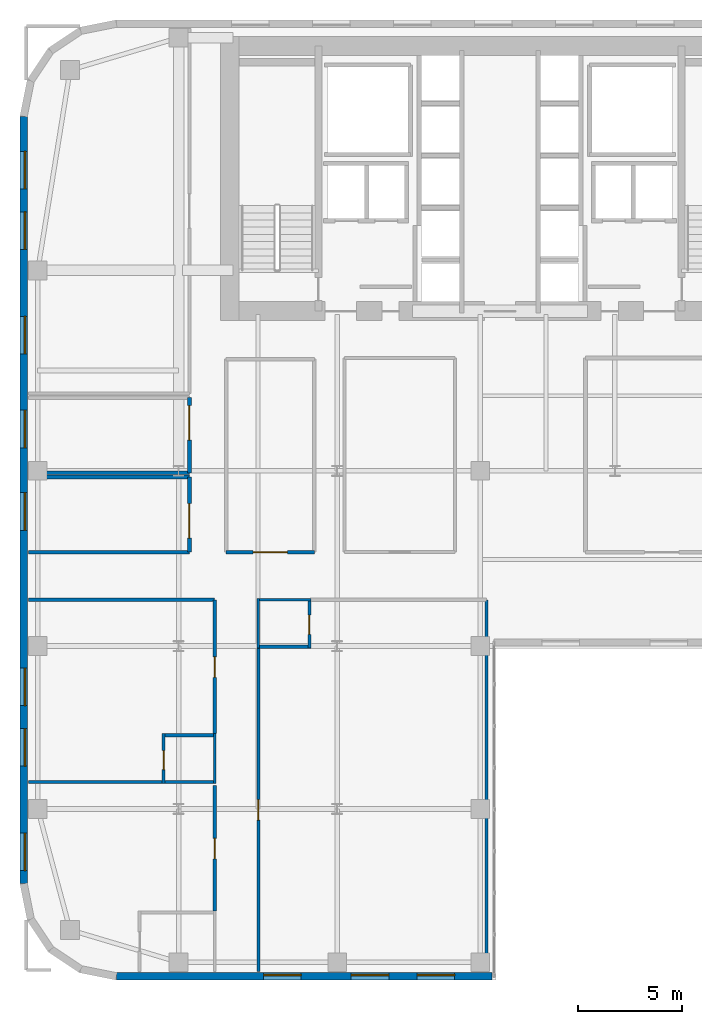
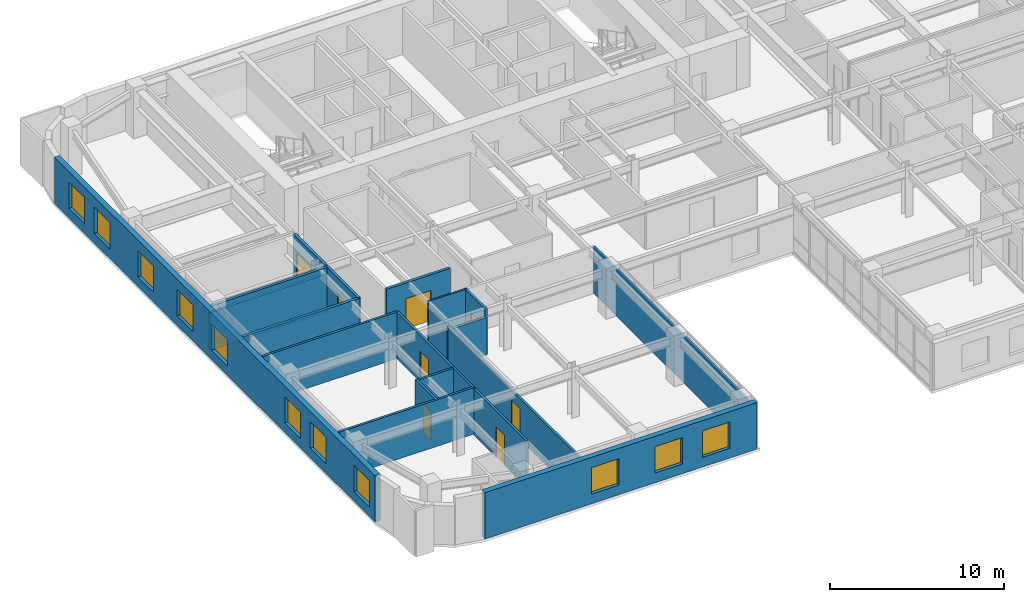
# One storey, part 10 of 16: 21 walls, 11 windows, 8 doors, 19 openings.
"""IFC4 building model written with IfcOpenShell, lengths in metres."""

from ifc_helpers import new_model, si_unit, direction, frame, frame_2d, origin, place, context, subcontext, project, spatial, rectangle, extrude, source, transform, mapped, material, layer, layer_set, type_object, type_shapes, element, fill, save


model = new_model("IFC4")

# Units and contexts
model_context = context("Model", 3, precision=1e-05, world=origin(), true_north=direction((0.0, 1.0)))
body_context = subcontext(model_context, "Body", "Model", "MODEL_VIEW")
ifc_project = project(units=[si_unit("LENGTHUNIT", "METRE"), si_unit("AREAUNIT", "SQUARE_METRE"), si_unit("VOLUMEUNIT", "CUBIC_METRE"), si_unit("PLANEANGLEUNIT", "RADIAN"), si_unit("MASSUNIT", "GRAM", prefix="KILO")], contexts=[model_context])

# Site, building, storey
site_placement = place(None, origin())
site = spatial("IfcSite", under=ifc_project, at=site_placement, CompositionType="ELEMENT")
building_placement = place(site_placement, origin())
building = spatial("IfcBuilding", under=site, at=building_placement, Name="Tolvann Quenvar Hotel", CompositionType="ELEMENT")
storey_placement = place(building_placement, frame((0.0, 0.0, 92.35009765625)))
storey = spatial("IfcBuildingStorey", under=building, at=storey_placement, Name="L23", CompositionType="ELEMENT", Elevation=92.35009765625)

# Wall, openings, windows
ifc_material_1 = material(Name="Kiln-fired red and buff architectural clay brickwork and terracotta masonry", Category="masonry")
ifc_layer_1 = layer(ifc_material_1, 0.35009765625)
ifc_layer_set_1 = layer_set([ifc_layer_1], Name="Kiln-fired red and buff architectural clay brickwork and terracotta masonry")
wall_type_1 = type_object("IfcWallType", Name="WALL_EXT_BRICK_350", PredefinedType="SOLIDWALL", material=ifc_layer_set_1)
wall_1_placement = place(storey_placement, frame((4.6171875, 0.175048828125, 0.0), z_axis=(0.0, 0.0, 1.0), x_axis=(1.0, 0.0, 0.0)))
wall_1 = element("IfcWall", 1, at=wall_1_placement, inside=storey, type_object=wall_type_1, Name="Exterior Chicago Brick Wall L23-E04", PredefinedType="SOLIDWALL", context=body_context, shape_type="SweptSolid", body=[
    extrude(rectangle(XDim=18.0078125, YDim=0.35009765625, at=frame_2d((9.00390625, 0.0))), origin(), (0.0, 0.0, 1.0), 3.25),
])
opening_1_placement = place(wall_1_placement, frame((7.052978515625, 0.0, 0.679931640625)))
opening_1 = element("IfcOpeningElement", 2, at=opening_1_placement, cuts=wall_1, Name="Opening W-03", PredefinedType="OPENING", context=body_context, shape_type="SweptSolid", body=[
    extrude(rectangle(XDim=1.800048828125, YDim=1.85009765625, at=frame_2d((0.89990234375, 0.925048828125))), frame((0.0, 0.18505859375, 0.0), z_axis=(0.0, -1.0, 0.0), x_axis=(1.0, 0.0, 0.0)), (0.0, 0.0, 1.0), 0.3701171875),
])
opening_2_placement = place(wall_1_placement, frame((11.2548828125, 0.0, 0.679931640625)))
opening_2 = element("IfcOpeningElement", 3, at=opening_2_placement, cuts=wall_1, Name="Opening W-03", PredefinedType="OPENING", context=body_context, shape_type="SweptSolid", body=[
    extrude(rectangle(XDim=1.800048828125, YDim=1.85009765625, at=frame_2d((0.89990234375, 0.925048828125))), frame((0.0, 0.18505859375, 0.0), z_axis=(0.0, -1.0, 0.0), x_axis=(1.0, 0.0, 0.0)), (0.0, 0.0, 1.0), 0.3701171875),
])
opening_3_placement = place(wall_1_placement, frame((14.406982421875, 0.0, 0.679931640625)))
opening_3 = element("IfcOpeningElement", 4, at=opening_3_placement, cuts=wall_1, Name="Opening W-03", PredefinedType="OPENING", context=body_context, shape_type="SweptSolid", body=[
    extrude(rectangle(XDim=1.800048828125, YDim=1.85009765625, at=frame_2d((0.89990234375, 0.925048828125))), frame((0.0, 0.18505859375, 0.0), z_axis=(0.0, -1.0, 0.0), x_axis=(1.0, 0.0, 0.0)), (0.0, 0.0, 1.0), 0.3701171875),
])
ifc_material_2 = material(Name="Thermally broken bronze-anodised aluminium frame with double low-E glazing", Category="aluminium")
window_type = type_object("IfcWindowType", Name="WIN_CHI_1800x2050", PartitioningType="TRIPLE_PANEL_HORIZONTAL", PredefinedType="WINDOW", material=ifc_material_2)
shared_shape_1 = source(origin(), body_context, "Body", "SweptSolid", [
    extrude(rectangle(XDim=1.800048828125, YDim=1.85009765625, at=frame_2d((0.89990234375, 0.925048828125))), frame((0.0, 0.090087890625, 0.0), z_axis=(0.0, -1.0, 0.0), x_axis=(1.0, 0.0, 0.0)), (0.0, 0.0, 1.0), 0.06005859375),
])
type_shapes(window_type, [shared_shape_1])
window_1_placement = place(opening_1_placement, origin())
window_1 = element("IfcWindow", 5, at=window_1_placement, inside=storey, type_object=window_type, Name="Chicago Window W-03 (EW-L23-E04-W01)", OverallHeight=1.85009765625, OverallWidth=1.800048828125, PartitioningType="TRIPLE_PANEL_HORIZONTAL", PredefinedType="WINDOW", context=body_context, shape_type="MappedRepresentation", body=[
    mapped(shared_shape_1, transform((0.0, 0.0, 0.0), x_axis=(1.0, 0.0, 0.0), y_axis=(0.0, 1.0, 0.0), z_axis=(0.0, 0.0, 1.0), scale=1.0)),
])
fill(opening_1, window_1)
window_2_placement = place(opening_2_placement, origin())
window_2 = element("IfcWindow", 6, at=window_2_placement, inside=storey, type_object=window_type, Name="Chicago Window W-03 (EW-L23-E04-W02)", OverallHeight=1.85009765625, OverallWidth=1.800048828125, PartitioningType="TRIPLE_PANEL_HORIZONTAL", PredefinedType="WINDOW", context=body_context, shape_type="MappedRepresentation", body=[
    mapped(shared_shape_1, transform((0.0, 0.0, 0.0), x_axis=(1.0, 0.0, 0.0), y_axis=(0.0, 1.0, 0.0), z_axis=(0.0, 0.0, 1.0), scale=1.0)),
])
fill(opening_2, window_2)
window_3_placement = place(opening_3_placement, origin())
window_3 = element("IfcWindow", 7, at=window_3_placement, inside=storey, type_object=window_type, Name="Chicago Window W-03 (EW-L23-E04-W03)", OverallHeight=1.85009765625, OverallWidth=1.800048828125, PartitioningType="TRIPLE_PANEL_HORIZONTAL", PredefinedType="WINDOW", context=body_context, shape_type="MappedRepresentation", body=[
    mapped(shared_shape_1, transform((0.0, 0.0, 0.0), x_axis=(1.0, 0.0, 0.0), y_axis=(0.0, 1.0, 0.0), z_axis=(0.0, 0.0, 1.0), scale=1.0)),
])
fill(opening_3, window_3)

wall_2_placement = place(storey_placement, frame((0.175048828125, 41.3828125, 0.0), z_axis=(0.0, 0.0, 1.0), x_axis=(0.0, -1.0, 0.0)))
wall_2 = element("IfcWall", 8, at=wall_2_placement, inside=storey, type_object=wall_type_1, Name="Exterior Chicago Brick Wall L23-E23", PredefinedType="SOLIDWALL", context=body_context, shape_type="SweptSolid", body=[
    extrude(rectangle(XDim=36.765625, YDim=0.35009765625, at=frame_2d((18.3828125, 0.0))), origin(), (0.0, 0.0, 1.0), 3.25),
])
opening_4_placement = place(wall_2_placement, frame((1.676025390625, 0.0, 0.679931640625)))
opening_4 = element("IfcOpeningElement", 9, at=opening_4_placement, cuts=wall_2, Name="Opening W-03", PredefinedType="OPENING", context=body_context, shape_type="SweptSolid", body=[
    extrude(rectangle(XDim=1.800048828125, YDim=1.85009765625, at=frame_2d((0.89990234375, 0.925048828125))), frame((0.0, 0.18505859375, 0.0), z_axis=(0.0, -1.0, 0.0), x_axis=(1.0, 0.0, 0.0)), (0.0, 0.0, 1.0), 0.3701171875),
])
opening_5_placement = place(wall_2_placement, frame((4.577880859375, 0.0, 0.679931640625)))
opening_5 = element("IfcOpeningElement", 10, at=opening_5_placement, cuts=wall_2, Name="Opening W-03", PredefinedType="OPENING", context=body_context, shape_type="SweptSolid", body=[
    extrude(rectangle(XDim=1.800048828125, YDim=1.85009765625, at=frame_2d((0.89990234375, 0.925048828125))), frame((0.0, 0.18505859375, 0.0), z_axis=(0.0, -1.0, 0.0), x_axis=(1.0, 0.0, 0.0)), (0.0, 0.0, 1.0), 0.3701171875),
])
opening_6_placement = place(wall_2_placement, frame((9.5791015625, 0.0, 0.679931640625)))
opening_6 = element("IfcOpeningElement", 11, at=opening_6_placement, cuts=wall_2, Name="Opening W-03", PredefinedType="OPENING", context=body_context, shape_type="SweptSolid", body=[
    extrude(rectangle(XDim=1.800048828125, YDim=1.85009765625, at=frame_2d((0.89990234375, 0.925048828125))), frame((0.0, 0.18505859375, 0.0), z_axis=(0.0, -1.0, 0.0), x_axis=(1.0, 0.0, 0.0)), (0.0, 0.0, 1.0), 0.3701171875),
])
opening_7_placement = place(wall_2_placement, frame((14.0810546875, 0.0, 0.679931640625)))
opening_7 = element("IfcOpeningElement", 12, at=opening_7_placement, cuts=wall_2, Name="Opening W-03", PredefinedType="OPENING", context=body_context, shape_type="SweptSolid", body=[
    extrude(rectangle(XDim=1.800048828125, YDim=1.85009765625, at=frame_2d((0.89990234375, 0.925048828125))), frame((0.0, 0.18505859375, 0.0), z_axis=(0.0, -1.0, 0.0), x_axis=(1.0, 0.0, 0.0)), (0.0, 0.0, 1.0), 0.3701171875),
])
opening_8_placement = place(wall_2_placement, frame((18.032958984375, 0.0, 0.679931640625)))
opening_8 = element("IfcOpeningElement", 13, at=opening_8_placement, cuts=wall_2, Name="Opening W-03", PredefinedType="OPENING", context=body_context, shape_type="SweptSolid", body=[
    extrude(rectangle(XDim=1.800048828125, YDim=1.85009765625, at=frame_2d((0.89990234375, 0.925048828125))), frame((0.0, 0.18505859375, 0.0), z_axis=(0.0, -1.0, 0.0), x_axis=(1.0, 0.0, 0.0)), (0.0, 0.0, 1.0), 0.3701171875),
])
opening_9_placement = place(wall_2_placement, frame((26.43603515625, 0.0, 0.679931640625)))
opening_9 = element("IfcOpeningElement", 14, at=opening_9_placement, cuts=wall_2, Name="Opening W-03", PredefinedType="OPENING", context=body_context, shape_type="SweptSolid", body=[
    extrude(rectangle(XDim=1.800048828125, YDim=1.85009765625, at=frame_2d((0.89990234375, 0.925048828125))), frame((0.0, 0.18505859375, 0.0), z_axis=(0.0, -1.0, 0.0), x_axis=(1.0, 0.0, 0.0)), (0.0, 0.0, 1.0), 0.3701171875),
])
opening_10_placement = place(wall_2_placement, frame((29.337890625, 0.0, 0.679931640625)))
opening_10 = element("IfcOpeningElement", 15, at=opening_10_placement, cuts=wall_2, Name="Opening W-03", PredefinedType="OPENING", context=body_context, shape_type="SweptSolid", body=[
    extrude(rectangle(XDim=1.800048828125, YDim=1.85009765625, at=frame_2d((0.89990234375, 0.925048828125))), frame((0.0, 0.18505859375, 0.0), z_axis=(0.0, -1.0, 0.0), x_axis=(1.0, 0.0, 0.0)), (0.0, 0.0, 1.0), 0.3701171875),
])
opening_11_placement = place(wall_2_placement, frame((34.340087890625, 0.0, 0.679931640625)))
opening_11 = element("IfcOpeningElement", 16, at=opening_11_placement, cuts=wall_2, Name="Opening W-03", PredefinedType="OPENING", context=body_context, shape_type="SweptSolid", body=[
    extrude(rectangle(XDim=1.800048828125, YDim=1.85009765625, at=frame_2d((0.89990234375, 0.925048828125))), frame((0.0, 0.18505859375, 0.0), z_axis=(0.0, -1.0, 0.0), x_axis=(1.0, 0.0, 0.0)), (0.0, 0.0, 1.0), 0.3701171875),
])
window_4_placement = place(opening_4_placement, origin())
window_4 = element("IfcWindow", 17, at=window_4_placement, inside=storey, type_object=window_type, Name="Chicago Window W-03 (EW-L23-E23-W01)", OverallHeight=1.85009765625, OverallWidth=1.800048828125, PartitioningType="TRIPLE_PANEL_HORIZONTAL", PredefinedType="WINDOW", context=body_context, shape_type="MappedRepresentation", body=[
    mapped(shared_shape_1, transform((0.0, 0.0, 0.0), x_axis=(1.0, 0.0, 0.0), y_axis=(0.0, 1.0, 0.0), z_axis=(0.0, 0.0, 1.0), scale=1.0)),
])
fill(opening_4, window_4)
window_5_placement = place(opening_5_placement, origin())
window_5 = element("IfcWindow", 18, at=window_5_placement, inside=storey, type_object=window_type, Name="Chicago Window W-03 (EW-L23-E23-W02)", OverallHeight=1.85009765625, OverallWidth=1.800048828125, PartitioningType="TRIPLE_PANEL_HORIZONTAL", PredefinedType="WINDOW", context=body_context, shape_type="MappedRepresentation", body=[
    mapped(shared_shape_1, transform((0.0, 0.0, 0.0), x_axis=(1.0, 0.0, 0.0), y_axis=(0.0, 1.0, 0.0), z_axis=(0.0, 0.0, 1.0), scale=1.0)),
])
fill(opening_5, window_5)
window_6_placement = place(opening_6_placement, origin())
window_6 = element("IfcWindow", 19, at=window_6_placement, inside=storey, type_object=window_type, Name="Chicago Window W-03 (EW-L23-E23-W03)", OverallHeight=1.85009765625, OverallWidth=1.800048828125, PartitioningType="TRIPLE_PANEL_HORIZONTAL", PredefinedType="WINDOW", context=body_context, shape_type="MappedRepresentation", body=[
    mapped(shared_shape_1, transform((0.0, 0.0, 0.0), x_axis=(1.0, 0.0, 0.0), y_axis=(0.0, 1.0, 0.0), z_axis=(0.0, 0.0, 1.0), scale=1.0)),
])
fill(opening_6, window_6)
window_7_placement = place(opening_7_placement, origin())
window_7 = element("IfcWindow", 20, at=window_7_placement, inside=storey, type_object=window_type, Name="Chicago Window W-03 (EW-L23-E23-W04)", OverallHeight=1.85009765625, OverallWidth=1.800048828125, PartitioningType="TRIPLE_PANEL_HORIZONTAL", PredefinedType="WINDOW", context=body_context, shape_type="MappedRepresentation", body=[
    mapped(shared_shape_1, transform((0.0, 0.0, 0.0), x_axis=(1.0, 0.0, 0.0), y_axis=(0.0, 1.0, 0.0), z_axis=(0.0, 0.0, 1.0), scale=1.0)),
])
fill(opening_7, window_7)
window_8_placement = place(opening_8_placement, origin())
window_8 = element("IfcWindow", 21, at=window_8_placement, inside=storey, type_object=window_type, Name="Chicago Window W-03 (EW-L23-E23-W05)", OverallHeight=1.85009765625, OverallWidth=1.800048828125, PartitioningType="TRIPLE_PANEL_HORIZONTAL", PredefinedType="WINDOW", context=body_context, shape_type="MappedRepresentation", body=[
    mapped(shared_shape_1, transform((0.0, 0.0, 0.0), x_axis=(1.0, 0.0, 0.0), y_axis=(0.0, 1.0, 0.0), z_axis=(0.0, 0.0, 1.0), scale=1.0)),
])
fill(opening_8, window_8)
window_9_placement = place(opening_9_placement, origin())
window_9 = element("IfcWindow", 22, at=window_9_placement, inside=storey, type_object=window_type, Name="Chicago Window W-03 (EW-L23-E23-W06)", OverallHeight=1.85009765625, OverallWidth=1.800048828125, PartitioningType="TRIPLE_PANEL_HORIZONTAL", PredefinedType="WINDOW", context=body_context, shape_type="MappedRepresentation", body=[
    mapped(shared_shape_1, transform((0.0, 0.0, 0.0), x_axis=(1.0, 0.0, 0.0), y_axis=(0.0, 1.0, 0.0), z_axis=(0.0, 0.0, 1.0), scale=1.0)),
])
fill(opening_9, window_9)
window_10_placement = place(opening_10_placement, origin())
window_10 = element("IfcWindow", 23, at=window_10_placement, inside=storey, type_object=window_type, Name="Chicago Window W-03 (EW-L23-E23-W07)", OverallHeight=1.85009765625, OverallWidth=1.800048828125, PartitioningType="TRIPLE_PANEL_HORIZONTAL", PredefinedType="WINDOW", context=body_context, shape_type="MappedRepresentation", body=[
    mapped(shared_shape_1, transform((0.0, 0.0, 0.0), x_axis=(1.0, 0.0, 0.0), y_axis=(0.0, 1.0, 0.0), z_axis=(0.0, 0.0, 1.0), scale=1.0)),
])
fill(opening_10, window_10)
window_11_placement = place(opening_11_placement, origin())
window_11 = element("IfcWindow", 24, at=window_11_placement, inside=storey, type_object=window_type, Name="Chicago Window W-03 (EW-L23-E23-W08)", OverallHeight=1.85009765625, OverallWidth=1.800048828125, PartitioningType="TRIPLE_PANEL_HORIZONTAL", PredefinedType="WINDOW", context=body_context, shape_type="MappedRepresentation", body=[
    mapped(shared_shape_1, transform((0.0, 0.0, 0.0), x_axis=(1.0, 0.0, 0.0), y_axis=(0.0, 1.0, 0.0), z_axis=(0.0, 0.0, 1.0), scale=1.0)),
])
fill(opening_11, window_11)

# Walls
ifc_material_3 = material(Name="Acoustic twin-stud fire-rated gypsum plasterboard partition")
ifc_layer_2 = layer(ifc_material_3, 0.179931640625)
ifc_layer_set_2 = layer_set([ifc_layer_2], Name="Acoustic twin-stud fire-rated gypsum plasterboard partition")
wall_type_2 = type_object("IfcWallType", Name="WALL_PART_ACOUSTIC_180", PredefinedType="PARTITIONING", material=ifc_layer_set_2)
for number, where, z_axis, x_axis, name in (
    (25, (0.405029296875, 20.5, 0.0), (0.0, 0.0, 1.0), (1.0, 0.0, 0.0), "Interior Partition PT-SPC-L23-SAL-S"),
    (26, (0.405029296875, 24.10009765625, 0.0), (0.0, 0.0, 1.0), (1.0, 0.0, 0.0), "Interior Partition PT-SPC-L23-SAL-N"),
):
    element("IfcWall", number, at=place(storey_placement, frame(where, z_axis=z_axis, x_axis=x_axis)), inside=storey, type_object=wall_type_2, Name=name, PredefinedType="PARTITIONING", context=body_context, shape_type="SweptSolid", body=[
        extrude(rectangle(XDim=7.715087890625, YDim=0.179931640625, at=frame_2d((3.857421875, 0.0))), origin(), (0.0, 0.0, 1.0), 3.25),
    ])

# Wall, opening, door
wall_3_placement = place(storey_placement, frame((8.1201171875, 20.5, 0.0), z_axis=(0.0, 0.0, 1.0), x_axis=(0.0, 1.0, 0.0)))
wall_3 = element("IfcWall", 27, at=wall_3_placement, inside=storey, type_object=wall_type_2, Name="Interior Partition PT-SPC-L23-SAL-E", PredefinedType="PARTITIONING", context=body_context, shape_type="SweptSolid", body=[
    extrude(rectangle(XDim=3.60009765625, YDim=0.179931640625, at=frame_2d((1.800048828125, 0.0))), origin(), (0.0, 0.0, 1.0), 3.25),
])
opening_12_placement = place(wall_3_placement, frame((0.675048828125, 0.0, 0.0)))
opening_12 = element("IfcOpeningElement", 28, at=opening_12_placement, cuts=wall_3, Name="Opening AD-01", PredefinedType="OPENING", context=body_context, shape_type="SweptSolid", body=[
    extrude(rectangle(XDim=1.64990234375, YDim=2.14990234375, at=frame_2d((0.824951171875, 1.074951171875))), frame((0.0, 0.10009765625, 0.0), z_axis=(0.0, -1.0, 0.0), x_axis=(1.0, 0.0, 0.0)), (0.0, 0.0, 1.0), 0.199951171875),
])
ifc_material_4 = material(Name="Solid-core American oak acoustic fire door leaf in steel frame", Category="steel")
door_type_1 = type_object("IfcDoorType", Name="DOOR_SALON_1650", OperationType="NOTDEFINED", PredefinedType="DOOR", material=ifc_material_4)
shared_shape_2 = source(origin(), body_context, "Body", "SweptSolid", [
    extrude(rectangle(XDim=1.64990234375, YDim=2.14990234375, at=frame_2d((0.824951171875, 1.074951171875))), frame((0.0, 0.02490234375, 0.0), z_axis=(0.0, -1.0, 0.0), x_axis=(1.0, 0.0, 0.0)), (0.0, 0.0, 1.0), 0.050048828125),
])
type_shapes(door_type_1, [shared_shape_2])
door_1_placement = place(opening_12_placement, origin())
door_1 = element("IfcDoor", 29, at=door_1_placement, inside=storey, type_object=door_type_1, Name="Interior Door DOOR-SPC-L23-SAL", OperationType="DOUBLE_DOOR_SINGLE_SWING", OverallHeight=2.14990234375, OverallWidth=1.64990234375, PredefinedType="DOOR", context=body_context, shape_type="MappedRepresentation", body=[
    mapped(shared_shape_2, transform((0.0, 0.0, 0.0), x_axis=(1.0, 0.0, 0.0), y_axis=(0.0, 1.0, 0.0), z_axis=(0.0, 0.0, 1.0), scale=1.0)),
])
fill(opening_12, door_1)

# Wall
wall_4_placement = place(storey_placement, frame((0.405029296875, 24.300048828125, 0.0), z_axis=(0.0, 0.0, 1.0), x_axis=(1.0, 0.0, 0.0)))
element("IfcWall", 30, at=wall_4_placement, inside=storey, type_object=wall_type_2, Name="Interior Partition PT-SPC-L23-MTG-S", PredefinedType="PARTITIONING", context=body_context, shape_type="SweptSolid", body=[
    extrude(rectangle(XDim=7.715087890625, YDim=0.179931640625, at=frame_2d((3.857421875, 0.0))), origin(), (0.0, 0.0, 1.0), 2.6279296875),
])

# Wall, opening, door
wall_5_placement = place(storey_placement, frame((8.1201171875, 24.300048828125, 0.0), z_axis=(0.0, 0.0, 1.0), x_axis=(0.0, 1.0, 0.0)))
wall_5 = element("IfcWall", 31, at=wall_5_placement, inside=storey, type_object=wall_type_2, Name="Interior Partition PT-SPC-L23-MTG-E", PredefinedType="PARTITIONING", context=body_context, shape_type="SweptSolid", body=[
    extrude(rectangle(XDim=3.599853515625, YDim=0.179931640625, at=frame_2d((1.7998046875, 0.0))), origin(), (0.0, 0.0, 1.0), 3.25),
])
opening_13_placement = place(wall_5_placement, frame((1.574951171875, 0.0, 0.0)))
opening_13 = element("IfcOpeningElement", 32, at=opening_13_placement, cuts=wall_5, Name="Opening AD-01", PredefinedType="OPENING", context=body_context, shape_type="SweptSolid", body=[
    extrude(rectangle(XDim=1.64990234375, YDim=2.14990234375, at=frame_2d((0.824951171875, 1.074951171875))), frame((0.0, 0.10009765625, 0.0), z_axis=(0.0, -1.0, 0.0), x_axis=(1.0, 0.0, 0.0)), (0.0, 0.0, 1.0), 0.199951171875),
])
door_2_placement = place(opening_13_placement, origin())
door_2 = element("IfcDoor", 33, at=door_2_placement, inside=storey, type_object=door_type_1, Name="Interior Door DOOR-SPC-L23-MTG", OperationType="DOUBLE_DOOR_SINGLE_SWING", OverallHeight=2.14990234375, OverallWidth=1.64990234375, PredefinedType="DOOR", context=body_context, shape_type="MappedRepresentation", body=[
    mapped(shared_shape_2, transform((0.0, 0.0, 0.0), x_axis=(1.0, 0.0, 0.0), y_axis=(0.0, 1.0, 0.0), z_axis=(0.0, 0.0, 1.0), scale=1.0)),
])
fill(opening_13, door_2)

wall_6_placement = place(storey_placement, frame((9.8798828125, 20.5, 0.0), z_axis=(0.0, 0.0, 1.0), x_axis=(1.0, 0.0, 0.0)))
wall_6 = element("IfcWall", 34, at=wall_6_placement, inside=storey, type_object=wall_type_2, Name="Interior Partition PT-SPC-L23-MSP-W-S", PredefinedType="PARTITIONING", context=body_context, shape_type="SweptSolid", body=[
    extrude(rectangle(XDim=4.22021484375, YDim=0.179931640625, at=frame_2d((2.110107421875, 0.0))), origin(), (0.0, 0.0, 1.0), 3.25),
])
opening_14_placement = place(wall_6_placement, frame((1.284912109375, 0.0, 0.0)))
opening_14 = element("IfcOpeningElement", 35, at=opening_14_placement, cuts=wall_6, Name="Opening AD-01", PredefinedType="OPENING", context=body_context, shape_type="SweptSolid", body=[
    extrude(rectangle(XDim=1.64990234375, YDim=2.14990234375, at=frame_2d((0.824951171875, 1.074951171875))), frame((0.0, 0.10009765625, 0.0), z_axis=(0.0, -1.0, 0.0), x_axis=(1.0, 0.0, 0.0)), (0.0, 0.0, 1.0), 0.199951171875),
])
door_3_placement = place(opening_14_placement, origin())
door_3 = element("IfcDoor", 36, at=door_3_placement, inside=storey, type_object=door_type_1, Name="Interior Door DOOR-SPC-L23-MSP-W", OperationType="DOUBLE_DOOR_SINGLE_SWING", OverallHeight=2.14990234375, OverallWidth=1.64990234375, PredefinedType="DOOR", context=body_context, shape_type="MappedRepresentation", body=[
    mapped(shared_shape_2, transform((0.0, 0.0, 0.0), x_axis=(1.0, 0.0, 0.0), y_axis=(0.0, 1.0, 0.0), z_axis=(0.0, 0.0, 1.0), scale=1.0)),
])
fill(opening_14, door_3)

# Walls
ifc_material_5 = material(Name="Moisture-resistant acoustic plumbing wall assembly")
ifc_layer_3 = layer(ifc_material_5, 0.1201171875)
ifc_layer_set_3 = layer_set([ifc_layer_3], Name="Moisture-resistant acoustic plumbing wall assembly")
wall_type_3 = type_object("IfcWallType", Name="WALL_PART_BATH_120", PredefinedType="PLUMBINGWALL", material=ifc_layer_set_3)
wall_7_placement = place(storey_placement, frame((9.330078125, 9.409912109375, 0.0), z_axis=(0.0, 0.0, 1.0), x_axis=(0.0, 1.0, 0.0)))
element("IfcWall", 37, at=wall_7_placement, inside=storey, type_object=wall_type_3, Name="Non-Rated Plumbing Partition PT-SPC-L23-ENS-WO02-E", PredefinedType="PLUMBINGWALL", context=body_context, shape_type="SweptSolid", body=[
    extrude(rectangle(XDim=2.39013671875, YDim=0.1201171875, at=frame_2d((1.195068359375, 0.0))), origin(), (0.0, 0.0, 1.0), 3.25),
])
wall_8_placement = place(storey_placement, frame((11.35009765625, 18.219970703125, 0.0), z_axis=(0.0, 0.0, 1.0), x_axis=(1.0, 0.0, 0.0)))
element("IfcWall", 38, at=wall_8_placement, inside=storey, type_object=wall_type_3, Name="Non-Rated Plumbing Partition PT-SPC-L23-ENS-WI01-N", PredefinedType="PLUMBINGWALL", context=body_context, shape_type="SweptSolid", body=[
    extrude(rectangle(XDim=2.58984375, YDim=0.1201171875, at=frame_2d((1.294921875, 0.0))), origin(), (0.0, 0.0, 1.0), 3.25),
])
wall_9_placement = place(storey_placement, frame((11.419921875, 15.89990234375, 0.0), z_axis=(0.0, 0.0, 1.0), x_axis=(0.0, 1.0, 0.0)))
element("IfcWall", 39, at=wall_9_placement, inside=storey, type_object=wall_type_3, Name="Non-Rated Plumbing Partition PT-SPC-L23-ENS-WI01-W", PredefinedType="PLUMBINGWALL", context=body_context, shape_type="SweptSolid", body=[
    extrude(rectangle(XDim=2.39013671875, YDim=0.1201171875, at=frame_2d((1.195068359375, 0.0))), origin(), (0.0, 0.0, 1.0), 2.833984375),
])

# Wall, opening, door
ifc_layer_4 = layer(ifc_material_3, 0.14990234375)
ifc_layer_set_4 = layer_set([ifc_layer_4], Name="Acoustic twin-stud fire-rated gypsum plasterboard partition")
wall_type_4 = type_object("IfcWallType", Name="WALL_PART_SUITE_150", PredefinedType="PARTITIONING", material=ifc_layer_set_4)
wall_10_placement = place(storey_placement, frame((6.8798828125, 9.409912109375, 0.0), z_axis=(0.0, 0.0, 1.0), x_axis=(0.0, 1.0, 0.0)))
wall_10 = element("IfcWall", 40, at=wall_10_placement, inside=storey, type_object=wall_type_4, Name="Interior Partition PT-SPC-L23-ENS-WO02-ENT", PredefinedType="PARTITIONING", context=body_context, shape_type="SweptSolid", body=[
    extrude(rectangle(XDim=2.39013671875, YDim=0.14990234375, at=frame_2d((1.195068359375, 0.0))), origin(), (0.0, 0.0, 1.0), 3.25),
])
opening_15_placement = place(wall_10_placement, frame((0.6650390625, 0.0, 0.0)))
opening_15 = element("IfcOpeningElement", 41, at=opening_15_placement, cuts=wall_10, Name="Opening WD-01", PredefinedType="OPENING", context=body_context, shape_type="SweptSolid", body=[
    extrude(rectangle(XDim=0.919921875, YDim=2.010009765625, at=frame_2d((0.4599609375, 1.0048828125))), frame((0.0, 0.0849609375, 0.0), z_axis=(0.0, -1.0, 0.0), x_axis=(1.0, 0.0, 0.0)), (0.0, 0.0, 1.0), 0.169921875),
])
door_type_2 = type_object("IfcDoorType", Name="DOOR_WC_920", OperationType="NOTDEFINED", PredefinedType="DOOR", material=ifc_material_4)
shared_shape_3 = source(origin(), body_context, "Body", "SweptSolid", [
    extrude(rectangle(XDim=0.919921875, YDim=2.010009765625, at=frame_2d((0.4599609375, 1.0048828125))), frame((0.0, 0.02490234375, 0.0), z_axis=(0.0, -1.0, 0.0), x_axis=(1.0, 0.0, 0.0)), (0.0, 0.0, 1.0), 0.050048828125),
])
type_shapes(door_type_2, [shared_shape_3])
door_4_placement = place(opening_15_placement, origin())
door_4 = element("IfcDoor", 42, at=door_4_placement, inside=storey, type_object=door_type_2, Name="Interior Door DOOR-SPC-L23-ENS-WO02", OperationType="SINGLE_SWING_LEFT", OverallHeight=2.010009765625, OverallWidth=0.919921875, PredefinedType="DOOR", context=body_context, shape_type="MappedRepresentation", body=[
    mapped(shared_shape_3, transform((0.0, 0.0, 0.0), x_axis=(1.0, 0.0, 0.0), y_axis=(0.0, 1.0, 0.0), z_axis=(0.0, 0.0, 1.0), scale=1.0)),
])
fill(opening_15, door_4)

# Walls
wall_11_placement = place(storey_placement, frame((0.405029296875, 9.47998046875, 0.0), z_axis=(0.0, 0.0, 1.0), x_axis=(1.0, 0.0, 0.0)))
element("IfcWall", 43, at=wall_11_placement, inside=storey, type_object=wall_type_4, Name="Interior Partition PT-SPC-L23-ENS-WO02-S", PredefinedType="PARTITIONING", context=body_context, shape_type="SweptSolid", body=[
    extrude(rectangle(XDim=8.994873046875, YDim=0.14990234375, at=frame_2d((4.49755859375, 0.0))), origin(), (0.0, 0.0, 1.0), 3.25),
])
wall_12_placement = place(storey_placement, frame((6.81005859375, 11.72998046875, 0.0), z_axis=(0.0, 0.0, 1.0), x_axis=(1.0, 0.0, 0.0)))
element("IfcWall", 44, at=wall_12_placement, inside=storey, type_object=wall_type_4, Name="Interior Partition PT-SPC-L23-ENS-WO02-N", PredefinedType="PARTITIONING", context=body_context, shape_type="SweptSolid", body=[
    extrude(rectangle(XDim=2.58984375, YDim=0.14990234375, at=frame_2d((1.294921875, 0.0))), origin(), (0.0, 0.0, 1.0), 3.25),
])

# Wall, opening, door
wall_13_placement = place(storey_placement, frame((13.8701171875, 15.89990234375, 0.0), z_axis=(0.0, 0.0, 1.0), x_axis=(0.0, 1.0, 0.0)))
wall_13 = element("IfcWall", 45, at=wall_13_placement, inside=storey, type_object=wall_type_4, Name="Interior Partition PT-SPC-L23-ENS-WI01-ENT", PredefinedType="PARTITIONING", context=body_context, shape_type="SweptSolid", body=[
    extrude(rectangle(XDim=2.39013671875, YDim=0.14990234375, at=frame_2d((1.195068359375, 0.0))), origin(), (0.0, 0.0, 1.0), 3.25),
])
opening_16_placement = place(wall_13_placement, frame((0.6650390625, 0.0, 0.0)))
opening_16 = element("IfcOpeningElement", 46, at=opening_16_placement, cuts=wall_13, Name="Opening WD-01", PredefinedType="OPENING", context=body_context, shape_type="SweptSolid", body=[
    extrude(rectangle(XDim=0.919921875, YDim=2.010009765625, at=frame_2d((0.4599609375, 1.0048828125))), frame((0.0, 0.0849609375, 0.0), z_axis=(0.0, -1.0, 0.0), x_axis=(1.0, 0.0, 0.0)), (0.0, 0.0, 1.0), 0.169921875),
])
door_5_placement = place(opening_16_placement, origin())
door_5 = element("IfcDoor", 47, at=door_5_placement, inside=storey, type_object=door_type_2, Name="Interior Door DOOR-SPC-L23-ENS-WI01", OperationType="SINGLE_SWING_RIGHT", OverallHeight=2.010009765625, OverallWidth=0.919921875, PredefinedType="DOOR", context=body_context, shape_type="MappedRepresentation", body=[
    mapped(shared_shape_3, transform((0.0, 0.0, 0.0), x_axis=(1.0, 0.0, 0.0), y_axis=(0.0, 1.0, 0.0), z_axis=(0.0, 0.0, 1.0), scale=1.0)),
])
fill(opening_16, door_5)

# Wall
wall_14_placement = place(storey_placement, frame((11.35009765625, 15.969970703125, 0.0), z_axis=(0.0, 0.0, 1.0), x_axis=(1.0, 0.0, 0.0)))
element("IfcWall", 48, at=wall_14_placement, inside=storey, type_object=wall_type_4, Name="Interior Partition PT-SPC-L23-ENS-WI01-S", PredefinedType="PARTITIONING", context=body_context, shape_type="SweptSolid", body=[
    extrude(rectangle(XDim=2.58984375, YDim=0.14990234375, at=frame_2d((1.294921875, 0.0))), origin(), (0.0, 0.0, 1.0), 2.6279296875),
])

# Wall, opening, door
wall_15_placement = place(storey_placement, frame((9.330078125, 3.31005859375, 0.0), z_axis=(0.0, 0.0, 1.0), x_axis=(0.0, 1.0, 0.0)))
wall_15 = element("IfcWall", 49, at=wall_15_placement, inside=storey, type_object=wall_type_4, Name="Interior Partition PT-SPC-L23-RM-WO01-ENT", PredefinedType="PARTITIONING", context=body_context, shape_type="SweptSolid", body=[
    extrude(rectangle(XDim=6.010009765625, YDim=0.14990234375, at=frame_2d((3.0048828125, 0.0))), origin(), (0.0, 0.0, 1.0), 3.25),
])
opening_17_placement = place(wall_15_placement, frame((2.4951171875, 0.0, 0.0)))
opening_17 = element("IfcOpeningElement", 50, at=opening_17_placement, cuts=wall_15, Name="Opening SD-01", PredefinedType="OPENING", context=body_context, shape_type="SweptSolid", body=[
    extrude(rectangle(XDim=0.97998046875, YDim=2.1201171875, at=frame_2d((0.489990234375, 1.06005859375))), frame((0.0, 0.0849609375, 0.0), z_axis=(0.0, -1.0, 0.0), x_axis=(1.0, 0.0, 0.0)), (0.0, 0.0, 1.0), 0.169921875),
])
door_type_3 = type_object("IfcDoorType", Name="DOOR_SUITE_980", OperationType="NOTDEFINED", PredefinedType="DOOR", material=ifc_material_4)
shared_shape_4 = source(origin(), body_context, "Body", "SweptSolid", [
    extrude(rectangle(XDim=0.97998046875, YDim=2.1201171875, at=frame_2d((0.489990234375, 1.06005859375))), frame((0.0, 0.02490234375, 0.0), z_axis=(0.0, -1.0, 0.0), x_axis=(1.0, 0.0, 0.0)), (0.0, 0.0, 1.0), 0.050048828125),
])
type_shapes(door_type_3, [shared_shape_4])
door_6_placement = place(opening_17_placement, origin())
door_6 = element("IfcDoor", 51, at=door_6_placement, inside=storey, type_object=door_type_3, Name="Interior Door DOOR-SPC-L23-RM-WO01", OperationType="SINGLE_SWING_RIGHT", OverallHeight=2.1201171875, OverallWidth=0.97998046875, PredefinedType="DOOR", context=body_context, shape_type="MappedRepresentation", body=[
    mapped(shared_shape_4, transform((0.0, 0.0, 0.0), x_axis=(1.0, 0.0, 0.0), y_axis=(0.0, 1.0, 0.0), z_axis=(0.0, 0.0, 1.0), scale=1.0)),
])
fill(opening_17, door_6)

wall_16_placement = place(storey_placement, frame((9.330078125, 11.81005859375, 0.0), z_axis=(0.0, 0.0, 1.0), x_axis=(0.0, 1.0, 0.0)))
wall_16 = element("IfcWall", 52, at=wall_16_placement, inside=storey, type_object=wall_type_4, Name="Interior Partition PT-SPC-L23-RM-WO02-ENT", PredefinedType="PARTITIONING", context=body_context, shape_type="SweptSolid", body=[
    extrude(rectangle(XDim=6.409912109375, YDim=0.14990234375, at=frame_2d((3.205078125, 0.0))), origin(), (0.0, 0.0, 1.0), 3.25),
])
opening_18_placement = place(wall_16_placement, frame((2.695068359375, 0.0, 0.0)))
opening_18 = element("IfcOpeningElement", 53, at=opening_18_placement, cuts=wall_16, Name="Opening SD-01", PredefinedType="OPENING", context=body_context, shape_type="SweptSolid", body=[
    extrude(rectangle(XDim=0.97998046875, YDim=2.1201171875, at=frame_2d((0.489990234375, 1.06005859375))), frame((0.0, 0.0849609375, 0.0), z_axis=(0.0, -1.0, 0.0), x_axis=(1.0, 0.0, 0.0)), (0.0, 0.0, 1.0), 0.169921875),
])
door_7_placement = place(opening_18_placement, origin())
door_7 = element("IfcDoor", 54, at=door_7_placement, inside=storey, type_object=door_type_3, Name="Interior Door DOOR-SPC-L23-RM-WO02", OperationType="SINGLE_SWING_LEFT", OverallHeight=2.1201171875, OverallWidth=0.97998046875, PredefinedType="DOOR", context=body_context, shape_type="MappedRepresentation", body=[
    mapped(shared_shape_4, transform((0.0, 0.0, 0.0), x_axis=(1.0, 0.0, 0.0), y_axis=(0.0, 1.0, 0.0), z_axis=(0.0, 0.0, 1.0), scale=1.0)),
])
fill(opening_18, door_7)

# Wall
wall_17_placement = place(storey_placement, frame((0.405029296875, 18.219970703125, 0.0), z_axis=(0.0, 0.0, 1.0), x_axis=(1.0, 0.0, 0.0)))
element("IfcWall", 55, at=wall_17_placement, inside=storey, type_object=wall_type_4, Name="Interior Partition PT-SPC-L23-RM-WO02-E5", PredefinedType="PARTITIONING", context=body_context, shape_type="SweptSolid", body=[
    extrude(rectangle(XDim=8.925048828125, YDim=0.14990234375, at=frame_2d((4.46240234375, 0.0))), origin(), (0.0, 0.0, 1.0), 3.25),
])

# Wall, opening, door
wall_18_placement = place(storey_placement, frame((11.419921875, 0.405029296875, 0.0), z_axis=(0.0, 0.0, 1.0), x_axis=(0.0, 1.0, 0.0)))
wall_18 = element("IfcWall", 56, at=wall_18_placement, inside=storey, type_object=wall_type_4, Name="Interior Partition PT-SPC-L23-RM-WI01-ENT", PredefinedType="PARTITIONING", context=body_context, shape_type="SweptSolid", body=[
    extrude(rectangle(XDim=15.48486328125, YDim=0.14990234375, at=frame_2d((7.742431640625, 0.0))), origin(), (0.0, 0.0, 1.0), 2.833984375),
])
opening_19_placement = place(wall_18_placement, frame((7.260009765625, 0.0, 0.0)))
opening_19 = element("IfcOpeningElement", 57, at=opening_19_placement, cuts=wall_18, Name="Opening SD-01", PredefinedType="OPENING", context=body_context, shape_type="SweptSolid", body=[
    extrude(rectangle(XDim=0.97998046875, YDim=2.1201171875, at=frame_2d((0.489990234375, 1.06005859375))), frame((0.0, 0.0849609375, 0.0), z_axis=(0.0, -1.0, 0.0), x_axis=(1.0, 0.0, 0.0)), (0.0, 0.0, 1.0), 0.169921875),
])
door_8_placement = place(opening_19_placement, origin())
door_8 = element("IfcDoor", 58, at=door_8_placement, inside=storey, type_object=door_type_3, Name="Interior Door DOOR-SPC-L23-RM-WI01", OperationType="SINGLE_SWING_RIGHT", OverallHeight=2.1201171875, OverallWidth=0.97998046875, PredefinedType="DOOR", context=body_context, shape_type="MappedRepresentation", body=[
    mapped(shared_shape_4, transform((0.0, 0.0, 0.0), x_axis=(1.0, 0.0, 0.0), y_axis=(0.0, 1.0, 0.0), z_axis=(0.0, 0.0, 1.0), scale=1.0)),
])
fill(opening_19, door_8)

# Wall
wall_19_placement = place(storey_placement, frame((22.35009765625, 0.405029296875, 0.0), z_axis=(0.0, 0.0, 1.0), x_axis=(0.0, 1.0, 0.0)))
element("IfcWall", 59, at=wall_19_placement, inside=storey, type_object=wall_type_4, Name="Interior Partition PT-SPC-L23-RM-WI01-E2", PredefinedType="PARTITIONING", context=body_context, shape_type="SweptSolid", body=[
    extrude(rectangle(XDim=17.81494140625, YDim=0.14990234375, at=frame_2d((8.907470703125, 0.0))), origin(), (0.0, 0.0, 1.0), 3.25),
])

save(model, "model.ifc")
